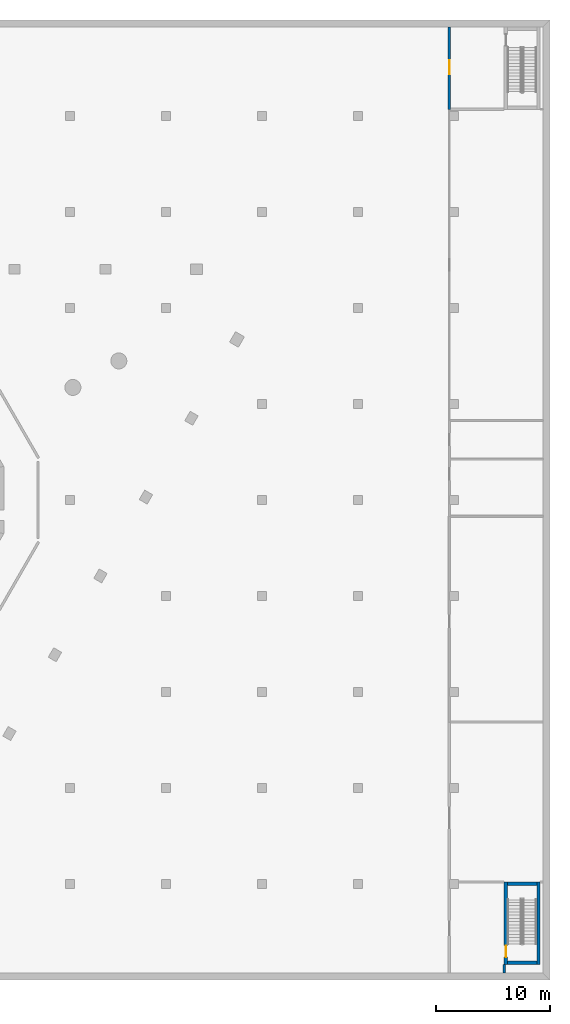
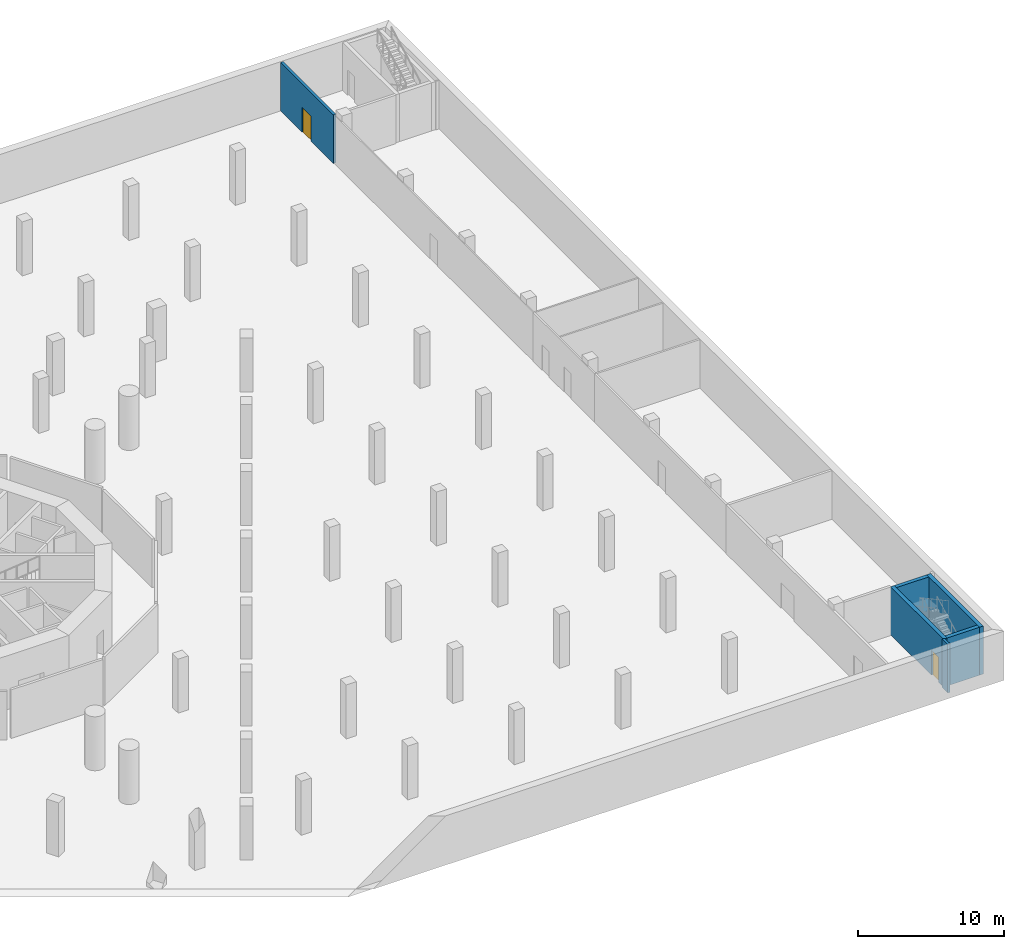
# One storey, part 11 of 21: 6 walls, 2 doors, 2 openings.
"""IFC4 building model written with IfcOpenShell, lengths in metres."""

from ifc_helpers import new_model, si_unit, direction, frame, frame_2d, origin, place, context, subcontext, project, spatial, rectangle, extrude, material, layer, layer_set, type_object, element, fill, save


model = new_model("IFC4")

# Units and contexts
model_context = context("Model", 3, precision=1e-05, world=origin(), true_north=direction((0.0, 1.0)))
body_context = subcontext(model_context, "Body", "Model", "MODEL_VIEW")
ifc_project = project(units=[si_unit("LENGTHUNIT", "METRE"), si_unit("AREAUNIT", "SQUARE_METRE"), si_unit("VOLUMEUNIT", "CUBIC_METRE"), si_unit("PLANEANGLEUNIT", "RADIAN"), si_unit("MASSUNIT", "GRAM", prefix="KILO")], contexts=[model_context])

# Site, building, storey
site_placement = place(None, origin())
site = spatial("IfcSite", under=ifc_project, at=site_placement, CompositionType="ELEMENT")
building_placement = place(site_placement, origin())
building = spatial("IfcBuilding", under=site, at=building_placement, Name="Trine Commons Tower", CompositionType="ELEMENT")
storey_placement = place(building_placement, frame((0.0, 0.0, -4.5)))
storey = spatial("IfcBuildingStorey", under=building, at=storey_placement, Name="B1", CompositionType="ELEMENT", Elevation=-4.5)

# Wall, opening, door
ifc_material_1 = material(Name="Plasterboard on steel stud", Category="steel")
ifc_layer_1 = layer(ifc_material_1, 0.199951171875)
ifc_layer_set_1 = layer_set([ifc_layer_1], Name="Plasterboard on steel stud")
wall_type_1 = type_object("IfcWallType", Name="Fire wall 200 mm, EI 120", PredefinedType="PARTITIONING", material=ifc_layer_set_1)
wall_1_placement = place(storey_placement, frame((130.0, 96.6796875, 0.0), z_axis=(0.0, 0.0, 1.0), x_axis=(0.0, 1.0, 0.0)))
wall_1 = element("IfcWall", 1, at=wall_1_placement, inside=storey, type_object=wall_type_1, Name="Partition B1032", PredefinedType="PARTITIONING", context=body_context, shape_type="SweptSolid", body=[
    extrude(rectangle(XDim=7.22021484375, YDim=0.199951171875, at=frame_2d((3.610107421875, 0.0))), origin(), (0.0, 0.0, 1.0), 4.050048828125),
])
opening_1_placement = place(wall_1_placement, frame((3.085205078125, 0.0, 0.0)))
opening_1 = element("IfcOpeningElement", 2, at=opening_1_placement, cuts=wall_1, Name="Opening D-B116", PredefinedType="OPENING", context=body_context, shape_type="SweptSolid", body=[
    extrude(rectangle(XDim=1.199951171875, YDim=2.10009765625, at=frame_2d((0.60009765625, 1.050048828125))), frame((0.0, 0.10986328125, 0.0), z_axis=(0.0, -1.0, 0.0), x_axis=(1.0, 0.0, 0.0)), (0.0, 0.0, 1.0), 0.219970703125),
])
ifc_material_2 = material(Name="Timber fire door set", Category="wood")
door_type_1 = type_object("IfcDoorType", Name="Single swing door 1200x2100, FD60", OperationType="SINGLE_SWING_LEFT", PredefinedType="DOOR", material=ifc_material_2)
door_1_placement = place(opening_1_placement, origin())
door_1 = element("IfcDoor", 3, at=door_1_placement, inside=storey, type_object=door_type_1, Name="Door D-B116", OperationType="SINGLE_SWING_LEFT", OverallHeight=2.10009765625, OverallWidth=1.199951171875, PredefinedType="DOOR", context=body_context, shape_type="SweptSolid", body=[
    extrude(rectangle(XDim=1.199951171875, YDim=2.10009765625, at=frame_2d((0.60009765625, 1.050048828125))), frame((0.0, 0.02490234375, 0.0), z_axis=(0.0, -1.0, 0.0), x_axis=(1.0, 0.0, 0.0)), (0.0, 0.0, 1.0), 0.050048828125),
])
fill(opening_1, door_1)

# Walls
wall_2_placement = place(storey_placement, frame((134.800048828125, 21.10009765625, 0.0), z_axis=(0.0, 0.0, 1.0), x_axis=(0.0, 1.0, 0.0)))
element("IfcWall", 4, at=wall_2_placement, inside=storey, type_object=wall_type_1, Name="Partition B1034", PredefinedType="PARTITIONING", context=body_context, shape_type="SweptSolid", body=[
    extrude(rectangle(XDim=0.747802734375, YDim=0.199951171875, at=frame_2d((0.3740234375, 0.0))), origin(), (0.0, 0.0, 1.0), 4.050048828125),
])
ifc_material_3 = material(Name="Concrete C40/50", Category="concrete")
ifc_layer_2 = layer(ifc_material_3, 0.300048828125)
ifc_layer_set_2 = layer_set([ifc_layer_2], Name="Concrete C40/50")
wall_type_2 = type_object("IfcWallType", Name="RC stair enclosure wall 300 mm, C40/50", PredefinedType="SHEAR", material=ifc_layer_set_2)
wall_3_placement = place(storey_placement, frame((137.800048828125, 21.85009765625, 0.0), z_axis=(0.0, 0.0, 1.0), x_axis=(0.0, 1.0, 0.0)))
element("IfcWall", 5, at=wall_3_placement, inside=storey, type_object=wall_type_2, Name="Stair STB2 enclosure wall B1", PredefinedType="SHEAR", context=body_context, shape_type="SweptSolid", body=[
    extrude(rectangle(XDim=7.219970703125, YDim=0.300048828125, at=frame_2d((3.60986328125, 0.0))), origin(), (0.0, 0.0, 1.0), 4.0),
])

# Wall, opening, door
wall_4_placement = place(storey_placement, frame((134.949951171875, 21.85009765625, 0.0), z_axis=(0.0, 0.0, 1.0), x_axis=(0.0, 1.0, 0.0)))
wall_4 = element("IfcWall", 6, at=wall_4_placement, inside=storey, type_object=wall_type_2, Name="Stair STB2 enclosure wall B1", PredefinedType="SHEAR", context=body_context, shape_type="SweptSolid", body=[
    extrude(rectangle(XDim=7.219970703125, YDim=0.300048828125, at=frame_2d((3.60986328125, 0.0))), origin(), (0.0, 0.0, 1.0), 4.0),
])
opening_2_placement = place(wall_4_placement, frame((0.64990234375, 0.0, 0.0)))
opening_2 = element("IfcOpeningElement", 7, at=opening_2_placement, cuts=wall_4, Name="Opening D-S05", PredefinedType="OPENING", context=body_context, shape_type="SweptSolid", body=[
    extrude(rectangle(XDim=1.0, YDim=2.10009765625, at=frame_2d((0.5, 1.050048828125))), frame((0.0, 0.159912109375, 0.0), z_axis=(0.0, -1.0, 0.0), x_axis=(1.0, 0.0, 0.0)), (0.0, 0.0, 1.0), 0.320068359375),
])
ifc_material_4 = material(Name="Steel fire door FD90S", Category="steel")
door_type_2 = type_object("IfcDoorType", Name="Fire door 1000 x 2100, FD90S", OperationType="SINGLE_SWING_LEFT", PredefinedType="DOOR", material=ifc_material_4)
door_2_placement = place(opening_2_placement, origin())
door_2 = element("IfcDoor", 8, at=door_2_placement, inside=storey, type_object=door_type_2, Name="Stair STB2 door B1", OperationType="SINGLE_SWING_LEFT", OverallHeight=2.10009765625, OverallWidth=1.0, PredefinedType="DOOR", context=body_context, shape_type="SweptSolid", body=[
    extrude(rectangle(XDim=1.0, YDim=2.10009765625, at=frame_2d((0.5, 1.050048828125))), frame((0.0, 0.02490234375, 0.0), z_axis=(0.0, -1.0, 0.0), x_axis=(1.0, 0.0, 0.0)), (0.0, 0.0, 1.0), 0.050048828125),
])
fill(opening_2, door_2)

# Walls
for number, where, z_axis, x_axis, name in (
    (9, (137.64990234375, 22.0, 0.0), (0.0, 0.0, 1.0), (-1.0, 0.0, 0.0), "Stair STB2 enclosure wall B1"),
    (10, (137.64990234375, 28.919921875, 0.0), (0.0, 0.0, 1.0), (-1.0, 0.0, 0.0), "Stair STB2 enclosure wall B1"),
):
    element("IfcWall", number, at=place(storey_placement, frame(where, z_axis=z_axis, x_axis=x_axis)), inside=storey, type_object=wall_type_2, Name=name, PredefinedType="SHEAR", context=body_context, shape_type="SweptSolid", body=[
        extrude(rectangle(XDim=2.5498046875, YDim=0.300048828125, at=frame_2d((1.27490234375, 0.0))), origin(), (0.0, 0.0, 1.0), 4.0),
    ])

save(model, "model.ifc")
